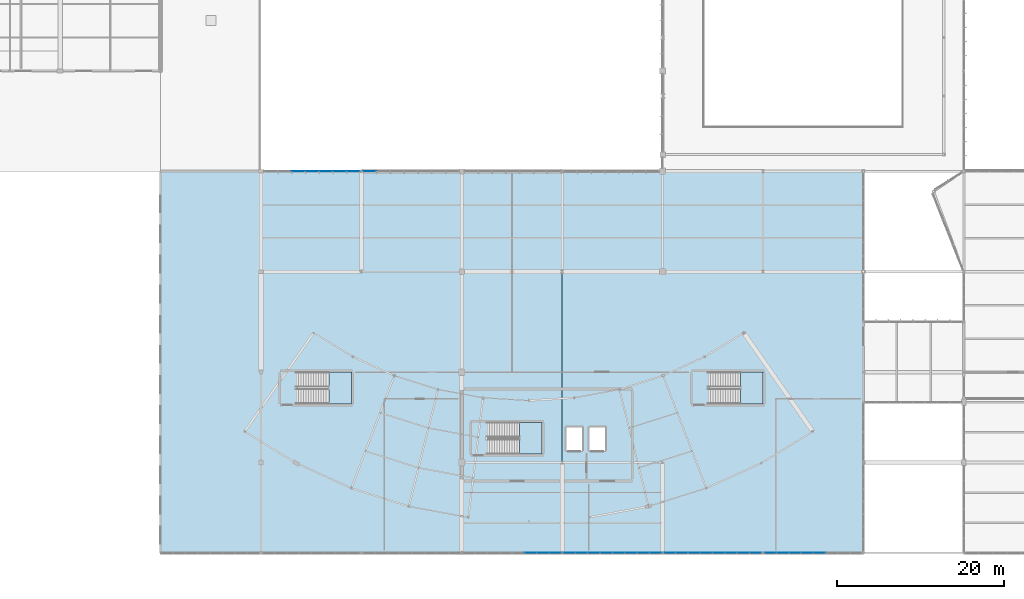
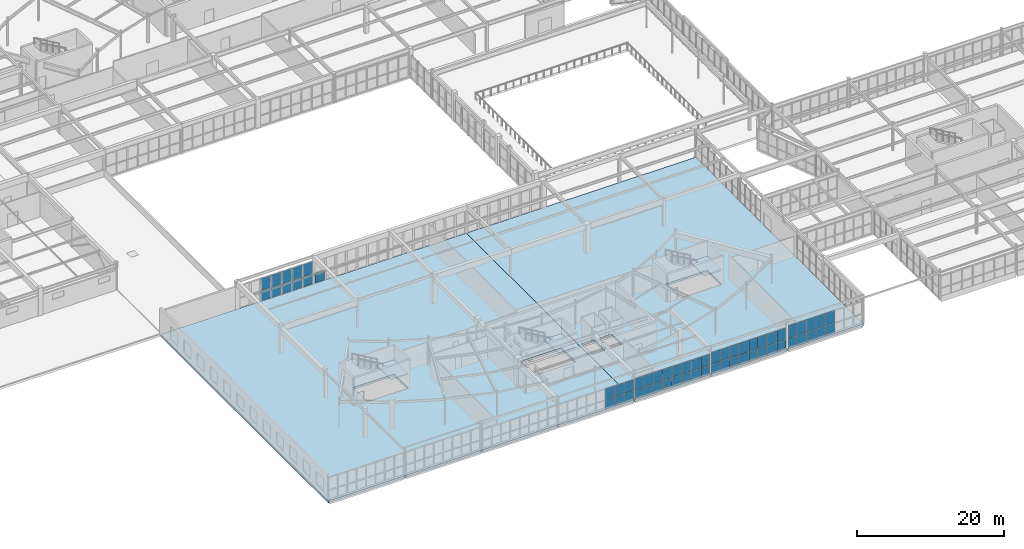
# One storey, part 114 of 186: 59 plates, 5 slabs, 9 elements without a shape of their own.
"""IFC4 building model written with IfcOpenShell, lengths in metres."""

from ifc_helpers import new_model, si_unit, direction, frame, origin, origin_2d, place, context, subcontext, project, spatial, polyline, rectangle, outline, extrude, material, layer, layer_set, type_object, element, aggregate, save


model = new_model("IFC4")

# Units and contexts
model_context = context("Model", 3, precision=1e-05, world=origin(), true_north=direction((0.0, 1.0)))
body_context = subcontext(model_context, "Body", "Model", "MODEL_VIEW")
ifc_project = project(units=[si_unit("LENGTHUNIT", "METRE"), si_unit("AREAUNIT", "SQUARE_METRE"), si_unit("VOLUMEUNIT", "CUBIC_METRE"), si_unit("PLANEANGLEUNIT", "RADIAN"), si_unit("MASSUNIT", "GRAM", prefix="KILO")], contexts=[model_context])

# Site, building, storey
site_placement = place(None, origin())
site = spatial("IfcSite", under=ifc_project, at=site_placement, CompositionType="ELEMENT")
building_placement = place(site_placement, origin())
building = spatial("IfcBuilding", under=site, at=building_placement, Name="Tarnwether General Hospital", CompositionType="ELEMENT")
storey_placement = place(building_placement, frame((0.0, 0.0, 9.60009765625)))
storey = spatial("IfcBuildingStorey", under=building, at=storey_placement, Name="L02", CompositionType="ELEMENT", Elevation=9.60009765625)

# Curtain wall, plates
ifc_material_1 = material(Name="Anodised aluminium", Category="aluminium")
ifc_layer_1 = layer(ifc_material_1, 0.159912109375)
ifc_layer_set_1 = layer_set([ifc_layer_1], Name="Anodised aluminium")
curtain_wall_type_1 = type_object("IfcCurtainWallType", Name="CW-13", PredefinedType="NOTDEFINED", material=ifc_layer_set_1)
curtain_wall_1_placement = place(storey_placement, origin())
curtain_wall_1 = element("IfcCurtainWall", 1, at=curtain_wall_1_placement, inside=storey, type_object=curtain_wall_type_1, Name="Curtain Wall CWG-L02-1319_0-0409", PredefinedType="NOTDEFINED")
ifc_material_2 = material(Name="Double glazed low-E glass", Category="glass")
ifc_layer_2 = layer(ifc_material_2, 0.028076171875)
ifc_layer_set_2 = layer_set([ifc_layer_2], Name="Double glazed low-E glass")
plate_type = type_object("IfcPlateType", Name="PT-CWP1", PredefinedType="CURTAIN_PANEL", material=ifc_layer_set_2)
plate_1_placement = place(storey_placement, frame((126.7431640625, 0.0, 0.06005859375), z_axis=(0.0, 0.0, 1.0), x_axis=(-1.0, 0.0, 0.0)))
plate_1 = element("IfcPlate", 2, at=plate_1_placement, type_object=plate_type, Name="CW-13 panel 4.1", PredefinedType="CURTAIN_PANEL", context=body_context, shape_type="SweptSolid", body=[
    extrude(rectangle(XDim=1.4033203125, YDim=0.028076171875, at=origin_2d()), origin(), (0.0, 0.0, 1.0), 1.658203125),
])
plate_2_placement = place(storey_placement, frame((126.7431640625, 0.0, 1.7783203125), z_axis=(0.0, 0.0, 1.0), x_axis=(-1.0, 0.0, 0.0)))
plate_2 = element("IfcPlate", 3, at=plate_2_placement, type_object=plate_type, Name="CW-13 panel 4.2", PredefinedType="CURTAIN_PANEL", context=body_context, shape_type="SweptSolid", body=[
    extrude(rectangle(XDim=1.4033203125, YDim=0.028076171875, at=origin_2d()), origin(), (0.0, 0.0, 1.0), 2.046630859375),
])
plate_3_placement = place(storey_placement, frame((125.27978515625, 0.0, 0.06005859375), z_axis=(0.0, 0.0, 1.0), x_axis=(-1.0, 0.0, 0.0)))
plate_3 = element("IfcPlate", 4, at=plate_3_placement, type_object=plate_type, Name="CW-13 panel 5.1", PredefinedType="CURTAIN_PANEL", context=body_context, shape_type="SweptSolid", body=[
    extrude(rectangle(XDim=1.4033203125, YDim=0.028076171875, at=origin_2d()), origin(), (0.0, 0.0, 1.0), 1.658203125),
])
plate_4_placement = place(storey_placement, frame((125.27978515625, 0.0, 1.7783203125), z_axis=(0.0, 0.0, 1.0), x_axis=(-1.0, 0.0, 0.0)))
plate_4 = element("IfcPlate", 5, at=plate_4_placement, type_object=plate_type, Name="CW-13 panel 5.2", PredefinedType="CURTAIN_PANEL", context=body_context, shape_type="SweptSolid", body=[
    extrude(rectangle(XDim=1.4033203125, YDim=0.028076171875, at=origin_2d()), origin(), (0.0, 0.0, 1.0), 2.046630859375),
])
plate_5_placement = place(storey_placement, frame((123.81640625, 0.0, 0.06005859375), z_axis=(0.0, 0.0, 1.0), x_axis=(-1.0, 0.0, 0.0)))
plate_5 = element("IfcPlate", 6, at=plate_5_placement, type_object=plate_type, Name="CW-13 panel 6.1", PredefinedType="CURTAIN_PANEL", context=body_context, shape_type="SweptSolid", body=[
    extrude(rectangle(XDim=1.4033203125, YDim=0.028076171875, at=origin_2d()), origin(), (0.0, 0.0, 1.0), 1.658203125),
])
plate_6_placement = place(storey_placement, frame((123.81640625, 0.0, 1.7783203125), z_axis=(0.0, 0.0, 1.0), x_axis=(-1.0, 0.0, 0.0)))
plate_6 = element("IfcPlate", 7, at=plate_6_placement, type_object=plate_type, Name="CW-13 panel 6.2", PredefinedType="CURTAIN_PANEL", context=body_context, shape_type="SweptSolid", body=[
    extrude(rectangle(XDim=1.4033203125, YDim=0.028076171875, at=origin_2d()), origin(), (0.0, 0.0, 1.0), 2.046630859375),
])
plate_7_placement = place(storey_placement, frame((122.35302734375, 0.0, 0.06005859375), z_axis=(0.0, 0.0, 1.0), x_axis=(-1.0, 0.0, 0.0)))
plate_7 = element("IfcPlate", 8, at=plate_7_placement, type_object=plate_type, Name="CW-13 panel 7.1", PredefinedType="CURTAIN_PANEL", context=body_context, shape_type="SweptSolid", body=[
    extrude(rectangle(XDim=1.4033203125, YDim=0.028076171875, at=origin_2d()), origin(), (0.0, 0.0, 1.0), 1.658203125),
])
plate_8_placement = place(storey_placement, frame((122.35302734375, 0.0, 1.7783203125), z_axis=(0.0, 0.0, 1.0), x_axis=(-1.0, 0.0, 0.0)))
plate_8 = element("IfcPlate", 9, at=plate_8_placement, type_object=plate_type, Name="CW-13 panel 7.2", PredefinedType="CURTAIN_PANEL", context=body_context, shape_type="SweptSolid", body=[
    extrude(rectangle(XDim=1.4033203125, YDim=0.028076171875, at=origin_2d()), origin(), (0.0, 0.0, 1.0), 2.046630859375),
])
plate_9_placement = place(storey_placement, frame((120.90478515625, 0.0, 0.06005859375), z_axis=(0.0, 0.0, 1.0), x_axis=(-1.0, 0.0, 0.0)))
plate_9 = element("IfcPlate", 10, at=plate_9_placement, type_object=plate_type, Name="CW-13 panel 8.1", PredefinedType="CURTAIN_PANEL", context=body_context, shape_type="SweptSolid", body=[
    extrude(rectangle(XDim=1.373291015625, YDim=0.028076171875, at=origin_2d()), origin(), (0.0, 0.0, 1.0), 1.658203125),
])
plate_10_placement = place(storey_placement, frame((120.90478515625, 0.0, 1.7783203125), z_axis=(0.0, 0.0, 1.0), x_axis=(-1.0, 0.0, 0.0)))
plate_10 = element("IfcPlate", 11, at=plate_10_placement, type_object=plate_type, Name="CW-13 panel 8.2", PredefinedType="CURTAIN_PANEL", context=body_context, shape_type="SweptSolid", body=[
    extrude(rectangle(XDim=1.373291015625, YDim=0.028076171875, at=origin_2d()), origin(), (0.0, 0.0, 1.0), 2.046630859375),
])
aggregate(curtain_wall_1, [plate_1, plate_2, plate_3, plate_4, plate_5, plate_6, plate_7, plate_8, plate_9, plate_10])

curtain_wall_2_placement = place(storey_placement, origin())
curtain_wall_2 = element("IfcCurtainWall", 12, at=curtain_wall_2_placement, inside=storey, type_object=curtain_wall_type_1, Name="Curtain Wall CWG-L02-1198_0-0410", PredefinedType="NOTDEFINED")
plate_11_placement = place(storey_placement, frame((119.092041015625, 0.0, 0.06005859375), z_axis=(0.0, 0.0, 1.0), x_axis=(-1.0, 0.0, 0.0)))
plate_11 = element("IfcPlate", 13, at=plate_11_placement, type_object=plate_type, Name="CW-13 panel 1.1", PredefinedType="CURTAIN_PANEL", context=body_context, shape_type="SweptSolid", body=[
    extrude(rectangle(XDim=1.379638671875, YDim=0.028076171875, at=origin_2d()), origin(), (0.0, 0.0, 1.0), 1.55908203125),
])
plate_12_placement = place(storey_placement, frame((119.092041015625, 0.0, 1.67919921875), z_axis=(0.0, 0.0, 1.0), x_axis=(-1.0, 0.0, 0.0)))
plate_12 = element("IfcPlate", 14, at=plate_12_placement, type_object=plate_type, Name="CW-13 panel 1.2", PredefinedType="CURTAIN_PANEL", context=body_context, shape_type="SweptSolid", body=[
    extrude(rectangle(XDim=1.379638671875, YDim=0.028076171875, at=origin_2d()), origin(), (0.0, 0.0, 1.0), 1.92578125),
])
plate_13_placement = place(storey_placement, frame((117.637451171875, 0.0, 0.06005859375), z_axis=(0.0, 0.0, 1.0), x_axis=(-1.0, 0.0, 0.0)))
plate_13 = element("IfcPlate", 15, at=plate_13_placement, type_object=plate_type, Name="CW-13 panel 2.1", PredefinedType="CURTAIN_PANEL", context=body_context, shape_type="SweptSolid", body=[
    extrude(rectangle(XDim=1.40966796875, YDim=0.028076171875, at=origin_2d()), origin(), (0.0, 0.0, 1.0), 1.55908203125),
])
plate_14_placement = place(storey_placement, frame((117.637451171875, 0.0, 1.67919921875), z_axis=(0.0, 0.0, 1.0), x_axis=(-1.0, 0.0, 0.0)))
plate_14 = element("IfcPlate", 16, at=plate_14_placement, type_object=plate_type, Name="CW-13 panel 2.2", PredefinedType="CURTAIN_PANEL", context=body_context, shape_type="SweptSolid", body=[
    extrude(rectangle(XDim=1.40966796875, YDim=0.028076171875, at=origin_2d()), origin(), (0.0, 0.0, 1.0), 1.92578125),
])
plate_15_placement = place(storey_placement, frame((116.167724609375, 0.0, 0.06005859375), z_axis=(0.0, 0.0, 1.0), x_axis=(-1.0, 0.0, 0.0)))
plate_15 = element("IfcPlate", 17, at=plate_15_placement, type_object=plate_type, Name="CW-13 panel 3.1", PredefinedType="CURTAIN_PANEL", context=body_context, shape_type="SweptSolid", body=[
    extrude(rectangle(XDim=1.40966796875, YDim=0.028076171875, at=origin_2d()), origin(), (0.0, 0.0, 1.0), 1.55908203125),
])
plate_16_placement = place(storey_placement, frame((116.167724609375, 0.0, 1.67919921875), z_axis=(0.0, 0.0, 1.0), x_axis=(-1.0, 0.0, 0.0)))
plate_16 = element("IfcPlate", 18, at=plate_16_placement, type_object=plate_type, Name="CW-13 panel 3.2", PredefinedType="CURTAIN_PANEL", context=body_context, shape_type="SweptSolid", body=[
    extrude(rectangle(XDim=1.40966796875, YDim=0.028076171875, at=origin_2d()), origin(), (0.0, 0.0, 1.0), 1.92578125),
])
plate_17_placement = place(storey_placement, frame((114.69775390625, 0.0, 0.06005859375), z_axis=(0.0, 0.0, 1.0), x_axis=(-1.0, 0.0, 0.0)))
plate_17 = element("IfcPlate", 19, at=plate_17_placement, type_object=plate_type, Name="CW-13 panel 4.1", PredefinedType="CURTAIN_PANEL", context=body_context, shape_type="SweptSolid", body=[
    extrude(rectangle(XDim=1.40966796875, YDim=0.028076171875, at=origin_2d()), origin(), (0.0, 0.0, 1.0), 1.55908203125),
])
plate_18_placement = place(storey_placement, frame((114.69775390625, 0.0, 1.67919921875), z_axis=(0.0, 0.0, 1.0), x_axis=(-1.0, 0.0, 0.0)))
plate_18 = element("IfcPlate", 20, at=plate_18_placement, type_object=plate_type, Name="CW-13 panel 4.2", PredefinedType="CURTAIN_PANEL", context=body_context, shape_type="SweptSolid", body=[
    extrude(rectangle(XDim=1.40966796875, YDim=0.028076171875, at=origin_2d()), origin(), (0.0, 0.0, 1.0), 1.92578125),
])
plate_19_placement = place(storey_placement, frame((113.22802734375, 0.0, 0.06005859375), z_axis=(0.0, 0.0, 1.0), x_axis=(-1.0, 0.0, 0.0)))
plate_19 = element("IfcPlate", 21, at=plate_19_placement, type_object=plate_type, Name="CW-13 panel 5.1", PredefinedType="CURTAIN_PANEL", context=body_context, shape_type="SweptSolid", body=[
    extrude(rectangle(XDim=1.40966796875, YDim=0.028076171875, at=origin_2d()), origin(), (0.0, 0.0, 1.0), 1.55908203125),
])
plate_20_placement = place(storey_placement, frame((113.22802734375, 0.0, 1.67919921875), z_axis=(0.0, 0.0, 1.0), x_axis=(-1.0, 0.0, 0.0)))
plate_20 = element("IfcPlate", 22, at=plate_20_placement, type_object=plate_type, Name="CW-13 panel 5.2", PredefinedType="CURTAIN_PANEL", context=body_context, shape_type="SweptSolid", body=[
    extrude(rectangle(XDim=1.40966796875, YDim=0.028076171875, at=origin_2d()), origin(), (0.0, 0.0, 1.0), 1.92578125),
])
plate_21_placement = place(storey_placement, frame((111.75830078125, 0.0, 0.06005859375), z_axis=(0.0, 0.0, 1.0), x_axis=(-1.0, 0.0, 0.0)))
plate_21 = element("IfcPlate", 23, at=plate_21_placement, type_object=plate_type, Name="CW-13 panel 6.1", PredefinedType="CURTAIN_PANEL", context=body_context, shape_type="SweptSolid", body=[
    extrude(rectangle(XDim=1.40966796875, YDim=0.028076171875, at=origin_2d()), origin(), (0.0, 0.0, 1.0), 1.55908203125),
])
plate_22_placement = place(storey_placement, frame((111.75830078125, 0.0, 1.67919921875), z_axis=(0.0, 0.0, 1.0), x_axis=(-1.0, 0.0, 0.0)))
plate_22 = element("IfcPlate", 24, at=plate_22_placement, type_object=plate_type, Name="CW-13 panel 6.2", PredefinedType="CURTAIN_PANEL", context=body_context, shape_type="SweptSolid", body=[
    extrude(rectangle(XDim=1.40966796875, YDim=0.028076171875, at=origin_2d()), origin(), (0.0, 0.0, 1.0), 1.92578125),
])
plate_23_placement = place(storey_placement, frame((110.28857421875, 0.0, 0.06005859375), z_axis=(0.0, 0.0, 1.0), x_axis=(-1.0, 0.0, 0.0)))
plate_23 = element("IfcPlate", 25, at=plate_23_placement, type_object=plate_type, Name="CW-13 panel 7.1", PredefinedType="CURTAIN_PANEL", context=body_context, shape_type="SweptSolid", body=[
    extrude(rectangle(XDim=1.40966796875, YDim=0.028076171875, at=origin_2d()), origin(), (0.0, 0.0, 1.0), 1.55908203125),
])
plate_24_placement = place(storey_placement, frame((110.28857421875, 0.0, 1.67919921875), z_axis=(0.0, 0.0, 1.0), x_axis=(-1.0, 0.0, 0.0)))
plate_24 = element("IfcPlate", 26, at=plate_24_placement, type_object=plate_type, Name="CW-13 panel 7.2", PredefinedType="CURTAIN_PANEL", context=body_context, shape_type="SweptSolid", body=[
    extrude(rectangle(XDim=1.40966796875, YDim=0.028076171875, at=origin_2d()), origin(), (0.0, 0.0, 1.0), 1.92578125),
])
plate_25_placement = place(storey_placement, frame((108.833984375, 0.0, 0.06005859375), z_axis=(0.0, 0.0, 1.0), x_axis=(-1.0, 0.0, 0.0)))
plate_25 = element("IfcPlate", 27, at=plate_25_placement, type_object=plate_type, Name="CW-13 panel 8.1", PredefinedType="CURTAIN_PANEL", context=body_context, shape_type="SweptSolid", body=[
    extrude(rectangle(XDim=1.379638671875, YDim=0.028076171875, at=origin_2d()), origin(), (0.0, 0.0, 1.0), 1.55908203125),
])
plate_26_placement = place(storey_placement, frame((108.833984375, 0.0, 1.67919921875), z_axis=(0.0, 0.0, 1.0), x_axis=(-1.0, 0.0, 0.0)))
plate_26 = element("IfcPlate", 28, at=plate_26_placement, type_object=plate_type, Name="CW-13 panel 8.2", PredefinedType="CURTAIN_PANEL", context=body_context, shape_type="SweptSolid", body=[
    extrude(rectangle(XDim=1.379638671875, YDim=0.028076171875, at=origin_2d()), origin(), (0.0, 0.0, 1.0), 1.92578125),
])
aggregate(curtain_wall_2, [plate_11, plate_12, plate_13, plate_14, plate_15, plate_16, plate_17, plate_18, plate_19, plate_20, plate_21, plate_22, plate_23, plate_24, plate_25, plate_26])

curtain_wall_3_placement = place(storey_placement, origin())
curtain_wall_3 = element("IfcCurtainWall", 29, at=curtain_wall_3_placement, inside=storey, type_object=curtain_wall_type_1, Name="Curtain Wall CWG-L02-1079_0-0411", PredefinedType="NOTDEFINED")
plate_27_placement = place(storey_placement, frame((107.16064453125, 0.0, 0.059814453125), z_axis=(0.0, 0.0, 1.0), x_axis=(-1.0, 0.0, 0.0)))
plate_27 = element("IfcPlate", 30, at=plate_27_placement, type_object=plate_type, Name="CW-13 panel 1.1", PredefinedType="CURTAIN_PANEL", context=body_context, shape_type="SweptSolid", body=[
    extrude(rectangle(XDim=1.390625, YDim=0.028076171875, at=origin_2d()), origin(), (0.0, 0.0, 1.0), 1.49169921875),
])
plate_28_placement = place(storey_placement, frame((107.16064453125, 0.0, 1.611572265625), z_axis=(0.0, 0.0, 1.0), x_axis=(-1.0, 0.0, 0.0)))
plate_28 = element("IfcPlate", 31, at=plate_28_placement, type_object=plate_type, Name="CW-13 panel 1.2", PredefinedType="CURTAIN_PANEL", context=body_context, shape_type="SweptSolid", body=[
    extrude(rectangle(XDim=1.390625, YDim=0.028076171875, at=origin_2d()), origin(), (0.0, 0.0, 1.0), 1.84326171875),
])
plate_29_placement = place(storey_placement, frame((105.695068359375, 0.0, 0.059814453125), z_axis=(0.0, 0.0, 1.0), x_axis=(-1.0, 0.0, 0.0)))
plate_29 = element("IfcPlate", 32, at=plate_29_placement, type_object=plate_type, Name="CW-13 panel 2.1", PredefinedType="CURTAIN_PANEL", context=body_context, shape_type="SweptSolid", body=[
    extrude(rectangle(XDim=1.420654296875, YDim=0.028076171875, at=origin_2d()), origin(), (0.0, 0.0, 1.0), 1.49169921875),
])
plate_30_placement = place(storey_placement, frame((105.695068359375, 0.0, 1.611572265625), z_axis=(0.0, 0.0, 1.0), x_axis=(-1.0, 0.0, 0.0)))
plate_30 = element("IfcPlate", 33, at=plate_30_placement, type_object=plate_type, Name="CW-13 panel 2.2", PredefinedType="CURTAIN_PANEL", context=body_context, shape_type="SweptSolid", body=[
    extrude(rectangle(XDim=1.420654296875, YDim=0.028076171875, at=origin_2d()), origin(), (0.0, 0.0, 1.0), 1.84326171875),
])
plate_31_placement = place(storey_placement, frame((104.21435546875, 0.0, 0.059814453125), z_axis=(0.0, 0.0, 1.0), x_axis=(-1.0, 0.0, 0.0)))
plate_31 = element("IfcPlate", 34, at=plate_31_placement, type_object=plate_type, Name="CW-13 panel 3.1", PredefinedType="CURTAIN_PANEL", context=body_context, shape_type="SweptSolid", body=[
    extrude(rectangle(XDim=1.420654296875, YDim=0.028076171875, at=origin_2d()), origin(), (0.0, 0.0, 1.0), 1.49169921875),
])
plate_32_placement = place(storey_placement, frame((104.21435546875, 0.0, 1.611572265625), z_axis=(0.0, 0.0, 1.0), x_axis=(-1.0, 0.0, 0.0)))
plate_32 = element("IfcPlate", 35, at=plate_32_placement, type_object=plate_type, Name="CW-13 panel 3.2", PredefinedType="CURTAIN_PANEL", context=body_context, shape_type="SweptSolid", body=[
    extrude(rectangle(XDim=1.420654296875, YDim=0.028076171875, at=origin_2d()), origin(), (0.0, 0.0, 1.0), 1.84326171875),
])
plate_33_placement = place(storey_placement, frame((102.73388671875, 0.0, 0.059814453125), z_axis=(0.0, 0.0, 1.0), x_axis=(-1.0, 0.0, 0.0)))
plate_33 = element("IfcPlate", 36, at=plate_33_placement, type_object=plate_type, Name="CW-13 panel 4.1", PredefinedType="CURTAIN_PANEL", context=body_context, shape_type="SweptSolid", body=[
    extrude(rectangle(XDim=1.420654296875, YDim=0.028076171875, at=origin_2d()), origin(), (0.0, 0.0, 1.0), 1.49169921875),
])
plate_34_placement = place(storey_placement, frame((102.73388671875, 0.0, 1.611572265625), z_axis=(0.0, 0.0, 1.0), x_axis=(-1.0, 0.0, 0.0)))
plate_34 = element("IfcPlate", 37, at=plate_34_placement, type_object=plate_type, Name="CW-13 panel 4.2", PredefinedType="CURTAIN_PANEL", context=body_context, shape_type="SweptSolid", body=[
    extrude(rectangle(XDim=1.420654296875, YDim=0.028076171875, at=origin_2d()), origin(), (0.0, 0.0, 1.0), 1.84326171875),
])
plate_35_placement = place(storey_placement, frame((101.253173828125, 0.0, 0.059814453125), z_axis=(0.0, 0.0, 1.0), x_axis=(-1.0, 0.0, 0.0)))
plate_35 = element("IfcPlate", 38, at=plate_35_placement, type_object=plate_type, Name="CW-13 panel 5.1", PredefinedType="CURTAIN_PANEL", context=body_context, shape_type="SweptSolid", body=[
    extrude(rectangle(XDim=1.420654296875, YDim=0.028076171875, at=origin_2d()), origin(), (0.0, 0.0, 1.0), 1.49169921875),
])
plate_36_placement = place(storey_placement, frame((101.253173828125, 0.0, 1.611572265625), z_axis=(0.0, 0.0, 1.0), x_axis=(-1.0, 0.0, 0.0)))
plate_36 = element("IfcPlate", 39, at=plate_36_placement, type_object=plate_type, Name="CW-13 panel 5.2", PredefinedType="CURTAIN_PANEL", context=body_context, shape_type="SweptSolid", body=[
    extrude(rectangle(XDim=1.420654296875, YDim=0.028076171875, at=origin_2d()), origin(), (0.0, 0.0, 1.0), 1.84326171875),
])
plate_37_placement = place(storey_placement, frame((99.7724609375, 0.0, 0.059814453125), z_axis=(0.0, 0.0, 1.0), x_axis=(-1.0, 0.0, 0.0)))
plate_37 = element("IfcPlate", 40, at=plate_37_placement, type_object=plate_type, Name="CW-13 panel 6.1", PredefinedType="CURTAIN_PANEL", context=body_context, shape_type="SweptSolid", body=[
    extrude(rectangle(XDim=1.420654296875, YDim=0.028076171875, at=origin_2d()), origin(), (0.0, 0.0, 1.0), 1.49169921875),
])
plate_38_placement = place(storey_placement, frame((99.7724609375, 0.0, 1.611572265625), z_axis=(0.0, 0.0, 1.0), x_axis=(-1.0, 0.0, 0.0)))
plate_38 = element("IfcPlate", 41, at=plate_38_placement, type_object=plate_type, Name="CW-13 panel 6.2", PredefinedType="CURTAIN_PANEL", context=body_context, shape_type="SweptSolid", body=[
    extrude(rectangle(XDim=1.420654296875, YDim=0.028076171875, at=origin_2d()), origin(), (0.0, 0.0, 1.0), 1.84326171875),
])
plate_39_placement = place(storey_placement, frame((98.2919921875, 0.0, 0.059814453125), z_axis=(0.0, 0.0, 1.0), x_axis=(-1.0, 0.0, 0.0)))
plate_39 = element("IfcPlate", 42, at=plate_39_placement, type_object=plate_type, Name="CW-13 panel 7.1", PredefinedType="CURTAIN_PANEL", context=body_context, shape_type="SweptSolid", body=[
    extrude(rectangle(XDim=1.420654296875, YDim=0.028076171875, at=origin_2d()), origin(), (0.0, 0.0, 1.0), 1.49169921875),
])
plate_40_placement = place(storey_placement, frame((98.2919921875, 0.0, 1.611572265625), z_axis=(0.0, 0.0, 1.0), x_axis=(-1.0, 0.0, 0.0)))
plate_40 = element("IfcPlate", 43, at=plate_40_placement, type_object=plate_type, Name="CW-13 panel 7.2", PredefinedType="CURTAIN_PANEL", context=body_context, shape_type="SweptSolid", body=[
    extrude(rectangle(XDim=1.420654296875, YDim=0.028076171875, at=origin_2d()), origin(), (0.0, 0.0, 1.0), 1.84326171875),
])
plate_41_placement = place(storey_placement, frame((96.826416015625, 0.0, 0.059814453125), z_axis=(0.0, 0.0, 1.0), x_axis=(-1.0, 0.0, 0.0)))
plate_41 = element("IfcPlate", 44, at=plate_41_placement, type_object=plate_type, Name="CW-13 panel 8.1", PredefinedType="CURTAIN_PANEL", context=body_context, shape_type="SweptSolid", body=[
    extrude(rectangle(XDim=1.390625, YDim=0.028076171875, at=origin_2d()), origin(), (0.0, 0.0, 1.0), 1.49169921875),
])
plate_42_placement = place(storey_placement, frame((96.826416015625, 0.0, 1.611572265625), z_axis=(0.0, 0.0, 1.0), x_axis=(-1.0, 0.0, 0.0)))
plate_42 = element("IfcPlate", 45, at=plate_42_placement, type_object=plate_type, Name="CW-13 panel 8.2", PredefinedType="CURTAIN_PANEL", context=body_context, shape_type="SweptSolid", body=[
    extrude(rectangle(XDim=1.390625, YDim=0.028076171875, at=origin_2d()), origin(), (0.0, 0.0, 1.0), 1.84326171875),
])
aggregate(curtain_wall_3, [plate_27, plate_28, plate_29, plate_30, plate_31, plate_32, plate_33, plate_34, plate_35, plate_36, plate_37, plate_38, plate_39, plate_40, plate_41, plate_42])

curtain_wall_4_placement = place(storey_placement, origin())
curtain_wall_4 = element("IfcCurtainWall", 46, at=curtain_wall_4_placement, inside=storey, type_object=curtain_wall_type_1, Name="Curtain Wall CWG-L02-959_0-0412", PredefinedType="NOTDEFINED")
plate_43_placement = place(storey_placement, frame((95.1728515625, 0.0, 0.059814453125), z_axis=(0.0, 0.0, 1.0), x_axis=(-1.0, 0.0, 0.0)))
plate_43 = element("IfcPlate", 47, at=plate_43_placement, type_object=plate_type, Name="CW-13 panel 1.1", PredefinedType="CURTAIN_PANEL", context=body_context, shape_type="SweptSolid", body=[
    extrude(rectangle(XDim=1.392333984375, YDim=0.028076171875, at=origin_2d()), origin(), (0.0, 0.0, 1.0), 1.46923828125),
])
plate_44_placement = place(storey_placement, frame((95.1728515625, 0.0, 1.58935546875), z_axis=(0.0, 0.0, 1.0), x_axis=(-1.0, 0.0, 0.0)))
plate_44 = element("IfcPlate", 48, at=plate_44_placement, type_object=plate_type, Name="CW-13 panel 1.2", PredefinedType="CURTAIN_PANEL", context=body_context, shape_type="SweptSolid", body=[
    extrude(rectangle(XDim=1.392333984375, YDim=0.028076171875, at=origin_2d()), origin(), (0.0, 0.0, 1.0), 1.815673828125),
])
plate_45_placement = place(storey_placement, frame((93.70556640625, 0.0, 0.059814453125), z_axis=(0.0, 0.0, 1.0), x_axis=(-1.0, 0.0, 0.0)))
plate_45 = element("IfcPlate", 49, at=plate_45_placement, type_object=plate_type, Name="CW-13 panel 2.1", PredefinedType="CURTAIN_PANEL", context=body_context, shape_type="SweptSolid", body=[
    extrude(rectangle(XDim=1.42236328125, YDim=0.028076171875, at=origin_2d()), origin(), (0.0, 0.0, 1.0), 1.46923828125),
])
plate_46_placement = place(storey_placement, frame((93.70556640625, 0.0, 1.58935546875), z_axis=(0.0, 0.0, 1.0), x_axis=(-1.0, 0.0, 0.0)))
plate_46 = element("IfcPlate", 50, at=plate_46_placement, type_object=plate_type, Name="CW-13 panel 2.2", PredefinedType="CURTAIN_PANEL", context=body_context, shape_type="SweptSolid", body=[
    extrude(rectangle(XDim=1.42236328125, YDim=0.028076171875, at=origin_2d()), origin(), (0.0, 0.0, 1.0), 1.815673828125),
])
plate_47_placement = place(storey_placement, frame((92.223388671875, 0.0, 0.059814453125), z_axis=(0.0, 0.0, 1.0), x_axis=(-1.0, 0.0, 0.0)))
plate_47 = element("IfcPlate", 51, at=plate_47_placement, type_object=plate_type, Name="CW-13 panel 3.1", PredefinedType="CURTAIN_PANEL", context=body_context, shape_type="SweptSolid", body=[
    extrude(rectangle(XDim=1.42236328125, YDim=0.028076171875, at=origin_2d()), origin(), (0.0, 0.0, 1.0), 1.46923828125),
])
plate_48_placement = place(storey_placement, frame((92.223388671875, 0.0, 1.58935546875), z_axis=(0.0, 0.0, 1.0), x_axis=(-1.0, 0.0, 0.0)))
plate_48 = element("IfcPlate", 52, at=plate_48_placement, type_object=plate_type, Name="CW-13 panel 3.2", PredefinedType="CURTAIN_PANEL", context=body_context, shape_type="SweptSolid", body=[
    extrude(rectangle(XDim=1.42236328125, YDim=0.028076171875, at=origin_2d()), origin(), (0.0, 0.0, 1.0), 1.815673828125),
])
aggregate(curtain_wall_4, [plate_43, plate_44, plate_45, plate_46, plate_47, plate_48])

# Curtain wall, plate
ifc_material_3 = material(Name="Anodised aluminium", Category="aluminium")
ifc_layer_3 = layer(ifc_material_3, 0.159912109375)
ifc_layer_set_3 = layer_set([ifc_layer_3], Name="Anodised aluminium")
curtain_wall_type_2 = type_object("IfcCurtainWallType", Name="CW-24", PredefinedType="NOTDEFINED", material=ifc_layer_set_3)
curtain_wall_5_placement = place(storey_placement, origin())
curtain_wall_5 = element("IfcCurtainWall", 53, at=curtain_wall_5_placement, inside=storey, type_object=curtain_wall_type_2, Name="Curtain Wall CWG-L02-837_456-0432", PredefinedType="NOTDEFINED")
plate_49_placement = place(storey_placement, frame((72.976318359375, 45.60009765625, 0.059814453125), z_axis=(0.0, 0.0, 1.0), x_axis=(-1.0, 0.0, 0.0)))
plate_49 = element("IfcPlate", 54, at=plate_49_placement, type_object=plate_type, Name="CW-24 panel 7.1", PredefinedType="CURTAIN_PANEL", context=body_context, shape_type="SweptSolid", body=[
    extrude(rectangle(XDim=1.560791015625, YDim=0.028076171875, at=origin_2d()), origin(), (0.0, 0.0, 1.0), 1.6357421875),
])
aggregate(curtain_wall_5, [plate_49])

# Curtain wall, plates
curtain_wall_6_placement = place(storey_placement, origin())
curtain_wall_6 = element("IfcCurtainWall", 55, at=curtain_wall_6_placement, inside=storey, type_object=curtain_wall_type_2, Name="Curtain Wall CWG-L02-719_456-0433", PredefinedType="NOTDEFINED")
plate_50_placement = place(storey_placement, frame((71.027099609375, 45.60009765625, 0.059814453125), z_axis=(0.0, 0.0, 1.0), x_axis=(-1.0, 0.0, 0.0)))
plate_50 = element("IfcPlate", 56, at=plate_50_placement, type_object=plate_type, Name="CW-24 panel 1.1", PredefinedType="CURTAIN_PANEL", context=body_context, shape_type="SweptSolid", body=[
    extrude(rectangle(XDim=1.5537109375, YDim=0.028076171875, at=origin_2d()), origin(), (0.0, 0.0, 1.0), 1.6357421875),
])
plate_51_placement = place(storey_placement, frame((71.027099609375, 45.60009765625, 1.75537109375), z_axis=(0.0, 0.0, 1.0), x_axis=(-1.0, 0.0, 0.0)))
plate_51 = element("IfcPlate", 57, at=plate_51_placement, type_object=plate_type, Name="CW-24 panel 1.2", PredefinedType="CURTAIN_PANEL", context=body_context, shape_type="SweptSolid", body=[
    extrude(rectangle(XDim=1.5537109375, YDim=0.028076171875, at=origin_2d()), origin(), (0.0, 0.0, 1.0), 2.019287109375),
])
plate_52_placement = place(storey_placement, frame((69.3984375, 45.60009765625, 0.059814453125), z_axis=(0.0, 0.0, 1.0), x_axis=(-1.0, 0.0, 0.0)))
plate_52 = element("IfcPlate", 58, at=plate_52_placement, type_object=plate_type, Name="CW-24 panel 2.1", PredefinedType="CURTAIN_PANEL", context=body_context, shape_type="SweptSolid", body=[
    extrude(rectangle(XDim=1.583740234375, YDim=0.028076171875, at=origin_2d()), origin(), (0.0, 0.0, 1.0), 1.6357421875),
])
plate_53_placement = place(storey_placement, frame((69.3984375, 45.60009765625, 1.75537109375), z_axis=(0.0, 0.0, 1.0), x_axis=(-1.0, 0.0, 0.0)))
plate_53 = element("IfcPlate", 59, at=plate_53_placement, type_object=plate_type, Name="CW-24 panel 2.2", PredefinedType="CURTAIN_PANEL", context=body_context, shape_type="SweptSolid", body=[
    extrude(rectangle(XDim=1.583740234375, YDim=0.028076171875, at=origin_2d()), origin(), (0.0, 0.0, 1.0), 2.019287109375),
])
plate_54_placement = place(storey_placement, frame((67.754638671875, 45.60009765625, 0.059814453125), z_axis=(0.0, 0.0, 1.0), x_axis=(-1.0, 0.0, 0.0)))
plate_54 = element("IfcPlate", 60, at=plate_54_placement, type_object=plate_type, Name="CW-24 panel 3.1", PredefinedType="CURTAIN_PANEL", context=body_context, shape_type="SweptSolid", body=[
    extrude(rectangle(XDim=1.583740234375, YDim=0.028076171875, at=origin_2d()), origin(), (0.0, 0.0, 1.0), 1.6357421875),
])
plate_55_placement = place(storey_placement, frame((67.754638671875, 45.60009765625, 1.75537109375), z_axis=(0.0, 0.0, 1.0), x_axis=(-1.0, 0.0, 0.0)))
plate_55 = element("IfcPlate", 61, at=plate_55_placement, type_object=plate_type, Name="CW-24 panel 3.2", PredefinedType="CURTAIN_PANEL", context=body_context, shape_type="SweptSolid", body=[
    extrude(rectangle(XDim=1.583740234375, YDim=0.028076171875, at=origin_2d()), origin(), (0.0, 0.0, 1.0), 2.019287109375),
])
plate_56_placement = place(storey_placement, frame((66.111083984375, 45.60009765625, 0.059814453125), z_axis=(0.0, 0.0, 1.0), x_axis=(-1.0, 0.0, 0.0)))
plate_56 = element("IfcPlate", 62, at=plate_56_placement, type_object=plate_type, Name="CW-24 panel 4.1", PredefinedType="CURTAIN_PANEL", context=body_context, shape_type="SweptSolid", body=[
    extrude(rectangle(XDim=1.583740234375, YDim=0.028076171875, at=origin_2d()), origin(), (0.0, 0.0, 1.0), 1.6357421875),
])
plate_57_placement = place(storey_placement, frame((66.111083984375, 45.60009765625, 1.75537109375), z_axis=(0.0, 0.0, 1.0), x_axis=(-1.0, 0.0, 0.0)))
plate_57 = element("IfcPlate", 63, at=plate_57_placement, type_object=plate_type, Name="CW-24 panel 4.2", PredefinedType="CURTAIN_PANEL", context=body_context, shape_type="SweptSolid", body=[
    extrude(rectangle(XDim=1.583740234375, YDim=0.028076171875, at=origin_2d()), origin(), (0.0, 0.0, 1.0), 2.019287109375),
])
plate_58_placement = place(storey_placement, frame((64.46728515625, 45.60009765625, 0.059814453125), z_axis=(0.0, 0.0, 1.0), x_axis=(-1.0, 0.0, 0.0)))
plate_58 = element("IfcPlate", 64, at=plate_58_placement, type_object=plate_type, Name="CW-24 panel 5.1", PredefinedType="CURTAIN_PANEL", context=body_context, shape_type="SweptSolid", body=[
    extrude(rectangle(XDim=1.583740234375, YDim=0.028076171875, at=origin_2d()), origin(), (0.0, 0.0, 1.0), 1.6357421875),
])
plate_59_placement = place(storey_placement, frame((64.46728515625, 45.60009765625, 1.75537109375), z_axis=(0.0, 0.0, 1.0), x_axis=(-1.0, 0.0, 0.0)))
plate_59 = element("IfcPlate", 65, at=plate_59_placement, type_object=plate_type, Name="CW-24 panel 5.2", PredefinedType="CURTAIN_PANEL", context=body_context, shape_type="SweptSolid", body=[
    extrude(rectangle(XDim=1.583740234375, YDim=0.028076171875, at=origin_2d()), origin(), (0.0, 0.0, 1.0), 2.019287109375),
])
aggregate(curtain_wall_6, [plate_50, plate_51, plate_52, plate_53, plate_54, plate_55, plate_56, plate_57, plate_58, plate_59])

# Slabs
ifc_material_4 = material(Name="Concrete 40 MPa", Category="concrete")
ifc_layer_4 = layer(ifc_material_4, 0.35498046875)
ifc_layer_set_4 = layer_set([ifc_layer_4], Name="Concrete 40 MPa")
slab_type_1 = type_object("IfcSlabType", Name="SL-FL220", PredefinedType="FLOOR", material=ifc_layer_set_4)
slab_1_placement = place(storey_placement, frame((0.0, 0.0, -0.35498046875)))
element("IfcSlab", 66, at=slab_1_placement, inside=storey, type_object=slab_type_1, Name="L02 PACU West Floor SL-L02-V4S1", PredefinedType="FLOOR", context=body_context, shape_type="SweptSolid", body=[
    extrude(outline(polyline([(48.0, 0.0), (48.0, 45.60009765625), (96.0, 45.60009765625), (96.0, 0.0), (48.0, 0.0)]), holes=[polyline([(93.60009765625, 15.60009765625), (87.179931640625, 15.60009765625), (87.179931640625, 11.800048828125), (93.60009765625, 11.800048828125), (93.60009765625, 15.60009765625)]), polyline([(70.800048828125, 21.60009765625), (64.3798828125, 21.60009765625), (64.3798828125, 17.800048828125), (70.800048828125, 17.800048828125), (70.800048828125, 21.60009765625)])]), origin(), (0.0, 0.0, 1.0), 0.35498046875),
])
slab_2_placement = place(storey_placement, frame((0.0, 0.0, -0.35498046875)))
element("IfcSlab", 67, at=slab_2_placement, inside=storey, type_object=slab_type_1, Name="L02 PACU East Floor SL-L02-V4S2", PredefinedType="FLOOR", context=body_context, shape_type="SweptSolid", body=[
    extrude(outline(polyline([(96.0, 0.0), (96.0, 45.60009765625), (132.0, 45.60009765625), (132.0, 0.0), (96.0, 0.0)]), holes=[polyline([(98.429931640625, 15.030029296875), (96.469970703125, 15.030029296875), (96.469970703125, 12.169921875), (98.429931640625, 12.169921875), (98.429931640625, 15.030029296875)]), polyline([(101.179931640625, 15.030029296875), (99.219970703125, 15.030029296875), (99.219970703125, 12.169921875), (101.179931640625, 12.169921875), (101.179931640625, 15.030029296875)]), polyline([(120.0, 21.60009765625), (113.580078125, 21.60009765625), (113.580078125, 17.800048828125), (120.0, 17.800048828125), (120.0, 21.60009765625)])]), origin(), (0.0, 0.0, 1.0), 0.35498046875),
])

# Stair, slab
ifc_material_5 = material(Name="Concrete 40 MPa", Category="concrete")
stair_type_1 = type_object("IfcStairType", Name="ST-DL48B", PredefinedType="HALF_TURN_STAIR", material=ifc_material_5)
stair_1_placement = place(storey_placement, origin())
stair_1 = element("IfcStair", 68, at=stair_1_placement, inside=storey, type_object=stair_type_1, Name="L02 Exit Stair ST-02", PredefinedType="HALF_TURN_STAIR")
ifc_material_6 = material(Name="Concrete 40 MPa", Category="concrete")
ifc_layer_5 = layer(ifc_material_6, 0.199951171875)
ifc_layer_set_5 = layer_set([ifc_layer_5], Name="Concrete 40 MPa")
slab_type_2 = type_object("IfcSlabType", Name="SL-LD200", PredefinedType="LANDING", material=ifc_layer_set_5)
slab_3_placement = place(storey_placement, frame((0.0, 0.0, 2.199951171875)))
slab_3 = element("IfcSlab", 69, at=slab_3_placement, type_object=slab_type_2, Name="ST-02 landing 1", PredefinedType="LANDING", context=body_context, shape_type="SweptSolid", body=[
    extrude(outline(polyline([(90.89990234375, 11.800048828125), (93.60009765625, 11.800048828125), (93.60009765625, 15.60009765625), (90.89990234375, 15.60009765625), (90.89990234375, 11.800048828125)])), origin(), (0.0, 0.0, 1.0), 0.199951171875),
])
aggregate(stair_1, [slab_3])

ifc_material_7 = material(Name="Concrete 40 MPa", Category="concrete")
stair_type_2 = type_object("IfcStairType", Name="ST-DL48A", PredefinedType="HALF_TURN_STAIR", material=ifc_material_7)
stair_2_placement = place(storey_placement, origin())
stair_2 = element("IfcStair", 70, at=stair_2_placement, inside=storey, type_object=stair_type_2, Name="L02 Exit Stair ST-09", PredefinedType="HALF_TURN_STAIR")
slab_4_placement = place(storey_placement, frame((0.0, 0.0, 2.199951171875)))
slab_4 = element("IfcSlab", 71, at=slab_4_placement, type_object=slab_type_2, Name="ST-09 landing 1", PredefinedType="LANDING", context=body_context, shape_type="SweptSolid", body=[
    extrude(outline(polyline([(68.10009765625, 17.800048828125), (70.800048828125, 17.800048828125), (70.800048828125, 21.60009765625), (68.10009765625, 21.60009765625), (68.10009765625, 17.800048828125)])), origin(), (0.0, 0.0, 1.0), 0.199951171875),
])
aggregate(stair_2, [slab_4])

stair_3_placement = place(storey_placement, origin())
stair_3 = element("IfcStair", 72, at=stair_3_placement, inside=storey, type_object=stair_type_1, Name="L02 Exit Stair ST-10", PredefinedType="HALF_TURN_STAIR")
slab_5_placement = place(storey_placement, frame((0.0, 0.0, 2.199951171875)))
slab_5 = element("IfcSlab", 73, at=slab_5_placement, type_object=slab_type_2, Name="ST-10 landing 1", PredefinedType="LANDING", context=body_context, shape_type="SweptSolid", body=[
    extrude(outline(polyline([(117.300048828125, 17.800048828125), (120.0, 17.800048828125), (120.0, 21.60009765625), (117.300048828125, 21.60009765625), (117.300048828125, 17.800048828125)])), origin(), (0.0, 0.0, 1.0), 0.199951171875),
])
aggregate(stair_3, [slab_5])

save(model, "model.ifc")
